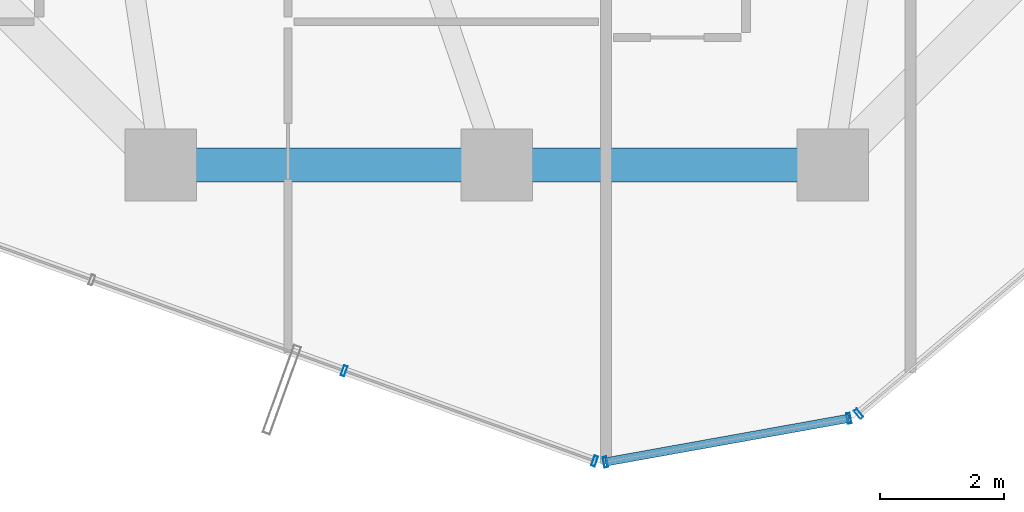
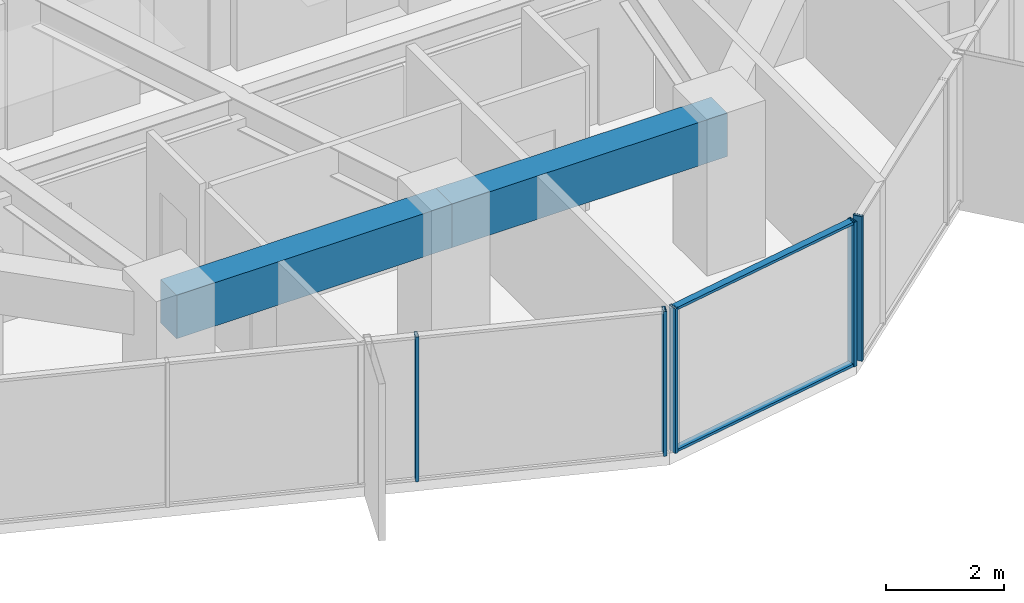
# One storey, part 6 of 36: 7 members, 2 beams, 3 elements without a shape of their own.
"""IFC4 building model written with IfcOpenShell, lengths in metres."""

from ifc_helpers import new_model, si_unit, direction, frame, origin, origin_2d, place, context, subcontext, project, spatial, rectangle, hollow_rectangle, extrude, source, transform, mapped, material, layer, layer_set, material_profile, profile_set, type_object, element, aggregate, save


model = new_model("IFC4")

# Units and contexts
model_context = context("Model", 3, precision=1e-05, world=origin(), true_north=direction((0.0, 1.0)))
body_context = subcontext(model_context, "Body", "Model", "MODEL_VIEW")
ifc_project = project(units=[si_unit("LENGTHUNIT", "METRE"), si_unit("AREAUNIT", "SQUARE_METRE"), si_unit("VOLUMEUNIT", "CUBIC_METRE"), si_unit("PLANEANGLEUNIT", "RADIAN"), si_unit("MASSUNIT", "GRAM", prefix="KILO")], contexts=[model_context])

# Site, building, storey
site_placement = place(None, origin())
site = spatial("IfcSite", under=ifc_project, at=site_placement, CompositionType="ELEMENT")
building_placement = place(site_placement, origin())
building = spatial("IfcBuilding", under=site, at=building_placement, Name="Veraguas Prism Commons", CompositionType="ELEMENT")
storey_placement = place(building_placement, frame((0.0, 0.0, 163.050048828125)))
storey = spatial("IfcBuildingStorey", under=building, at=storey_placement, Name="L46", CompositionType="ELEMENT", Elevation=163.050048828125)

# Beams
ifc_material_1 = material(Name="Concrete C50/60", Category="concrete")
ifc_material_profile_1 = material_profile(ifc_material_1, rectangle(XDim=0.550048828125, YDim=0.89990234375, at=origin_2d()), Name="RC550X900")
ifc_profile_set_1 = profile_set([ifc_material_profile_1], Name="Concrete C50/60")
beam_type = type_object("IfcBeamType", Name="Perimeter Spandrel Lower RC 550x900", PredefinedType="SPANDREL", material=ifc_profile_set_1)
for number, where, z_axis, x_axis, name in (
    (1, (18.60009765625, 7.800048828125, 2.550048828125), (1.0, 0.0, 0.0), (0.0, 1.0, 0.0), "Perimeter Spandrel Beam L46-SP10"),
    (2, (24.0, 7.800048828125, 2.550048828125), (1.0, 0.0, 0.0), (0.0, 1.0, 0.0), "Perimeter Spandrel Beam L46-SP11"),
):
    element("IfcBeam", number, at=place(storey_placement, frame(where, z_axis=z_axis, x_axis=x_axis)), inside=storey, type_object=beam_type, Name=name, PredefinedType="SPANDREL", context=body_context, shape_type="SweptSolid", body=[
        extrude(rectangle(XDim=0.550048828125, YDim=0.89990234375, at=origin_2d()), origin(), (0.0, 0.0, 1.0), 5.39990234375),
    ])

# Curtain wall, members
ifc_material_2 = material(Name="Anodised aluminium EN AW-6063 T6", Category="aluminium")
ifc_layer = layer(ifc_material_2, 0.169921875, Name="Unitised Flush Curtain Wall Zone 2", Category="aluminium")
ifc_layer_set = layer_set([ifc_layer], Name="Anodised aluminium EN AW-6063 T6")
curtain_wall_type = type_object("IfcCurtainWallType", Name="Unitised Flush Curtain Wall Zone 2", PredefinedType="NOTDEFINED", material=ifc_layer_set)
curtain_wall_1_placement = place(storey_placement, origin())
curtain_wall_1 = element("IfcCurtainWall", 3, at=curtain_wall_1_placement, inside=storey, type_object=curtain_wall_type, Name="Tower Facade Curtain Wall L46-F4", PredefinedType="NOTDEFINED")
ifc_material_profile_2 = material_profile(ifc_material_2, hollow_rectangle(XDim=0.06005859375, YDim=0.169921875, WallThickness=0.00390625, at=origin_2d()), Name="AL60X170X4")
ifc_profile_set_2 = profile_set([ifc_material_profile_2], Name="Anodised aluminium EN AW-6063 T6")
member_type_1 = type_object("IfcMemberType", Name="Curtain Wall Mullion Lower AL 60x170x4", PredefinedType="MULLION", material=ifc_profile_set_2)
shared_shape_1 = source(origin(), body_context, "Body", "SweptSolid", [
    extrude(hollow_rectangle(XDim=0.06005859375, YDim=0.169921875, WallThickness=0.00390625, at=origin_2d()), origin(), (0.0, 0.0, 1.0), 3.0),
])
member_1_placement = place(storey_placement, frame((21.54931640625, 4.492919921875, 0.0), z_axis=(0.0, 0.0, 1.0), x_axis=(0.940760694435, -0.339071254763, 0.0)))
member_1 = element("IfcMember", 4, at=member_1_placement, type_object=member_type_1, Name="CW-Z2 Mullion 4", PredefinedType="MULLION", context=body_context, shape_type="MappedRepresentation", body=[
    mapped(shared_shape_1, transform((0.0, 0.0, 0.0), scale=1.0)),
])
member_2_placement = place(storey_placement, frame((25.574462890625, 3.042236328125, 0.0), z_axis=(0.0, 0.0, 1.0), x_axis=(0.940760694435, -0.339071254763, 0.0)))
member_2 = element("IfcMember", 5, at=member_2_placement, type_object=member_type_1, Name="CW-Z2 Mullion 5", PredefinedType="MULLION", context=body_context, shape_type="MappedRepresentation", body=[
    mapped(shared_shape_1, transform((0.0, 0.0, 0.0), scale=1.0)),
])
aggregate(curtain_wall_1, [member_1, member_2])

# Curtain wall, member
curtain_wall_2_placement = place(storey_placement, origin())
curtain_wall_2 = element("IfcCurtainWall", 6, at=curtain_wall_2_placement, inside=storey, type_object=curtain_wall_type, Name="Tower Facade Curtain Wall L46-F5", PredefinedType="NOTDEFINED")
member_3_placement = place(storey_placement, frame((29.8154296875, 3.8037109375, 0.0), z_axis=(0.0, 0.0, 1.0), x_axis=(0.764022415403, 0.645189699826, 0.0)))
member_3 = element("IfcMember", 7, at=member_3_placement, type_object=member_type_1, Name="CW-Z2 Mullion 1", PredefinedType="MULLION", context=body_context, shape_type="MappedRepresentation", body=[
    mapped(shared_shape_1, transform((0.0, 0.0, 0.0), scale=1.0)),
])
aggregate(curtain_wall_2, [member_3])

# Curtain wall, members
curtain_wall_3_placement = place(storey_placement, origin())
curtain_wall_3 = element("IfcCurtainWall", 8, at=curtain_wall_3_placement, inside=storey, type_object=curtain_wall_type, Name="Chamfer Curtain Wall L46-C5", PredefinedType="NOTDEFINED")
member_4_placement = place(storey_placement, frame((25.74755859375, 3.027587890625, 0.0), z_axis=(0.0, 0.0, 1.0), x_axis=(0.98425797918, 0.176737744754, 0.0)))
member_4 = element("IfcMember", 9, at=member_4_placement, type_object=member_type_1, Name="CW-Z2 Mullion 1", PredefinedType="MULLION", context=body_context, shape_type="MappedRepresentation", body=[
    mapped(shared_shape_1, transform((0.0, 0.0, 0.0), scale=1.0)),
])
member_5_placement = place(storey_placement, frame((29.658203125, 3.729736328125, 0.0), z_axis=(0.0, 0.0, 1.0), x_axis=(0.98425797918, 0.176737744754, 0.0)))
member_5 = element("IfcMember", 10, at=member_5_placement, type_object=member_type_1, Name="CW-Z2 Mullion 2", PredefinedType="MULLION", context=body_context, shape_type="MappedRepresentation", body=[
    mapped(shared_shape_1, transform((0.0, 0.0, 0.0), scale=1.0)),
])
ifc_material_profile_3 = material_profile(ifc_material_2, hollow_rectangle(XDim=0.054931640625, YDim=0.135009765625, WallThickness=0.0029296875, at=origin_2d()), Name="AL55X135X3")
ifc_profile_set_3 = profile_set([ifc_material_profile_3], Name="Anodised aluminium EN AW-6063 T6")
member_type_2 = type_object("IfcMemberType", Name="Curtain Wall Transom Standard AL 55x135x3", PredefinedType="USERDEFINED", material=ifc_profile_set_3)
shared_shape_2 = source(origin(), body_context, "Body", "SweptSolid", [
    extrude(hollow_rectangle(XDim=0.054931640625, YDim=0.135009765625, WallThickness=0.0029296875, at=origin_2d()), origin(), (0.0, 0.0, 1.0), 3.97314453125),
])
member_6_placement = place(storey_placement, frame((25.74755859375, 3.027587890625, 0.02734375), z_axis=(0.98426079449, 0.176722065486, 0.0), x_axis=(0.0, 0.0, 1.0)))
member_6 = element("IfcMember", 11, at=member_6_placement, type_object=member_type_2, Name="CW-Z2 Transom 1", ObjectType="TRANSOM", PredefinedType="USERDEFINED", context=body_context, shape_type="MappedRepresentation", body=[
    mapped(shared_shape_2, transform((0.0, 0.0, 0.0), scale=1.0)),
])
member_7_placement = place(storey_placement, frame((25.74755859375, 3.027587890625, 2.972412109375), z_axis=(0.98426079449, 0.176722065486, 0.0), x_axis=(0.0, 0.0, 1.0)))
member_7 = element("IfcMember", 12, at=member_7_placement, type_object=member_type_2, Name="CW-Z2 Transom 2", ObjectType="TRANSOM", PredefinedType="USERDEFINED", context=body_context, shape_type="MappedRepresentation", body=[
    mapped(shared_shape_2, transform((0.0, 0.0, 0.0), scale=1.0)),
])
aggregate(curtain_wall_3, [member_4, member_5, member_6, member_7])

save(model, "model.ifc")
